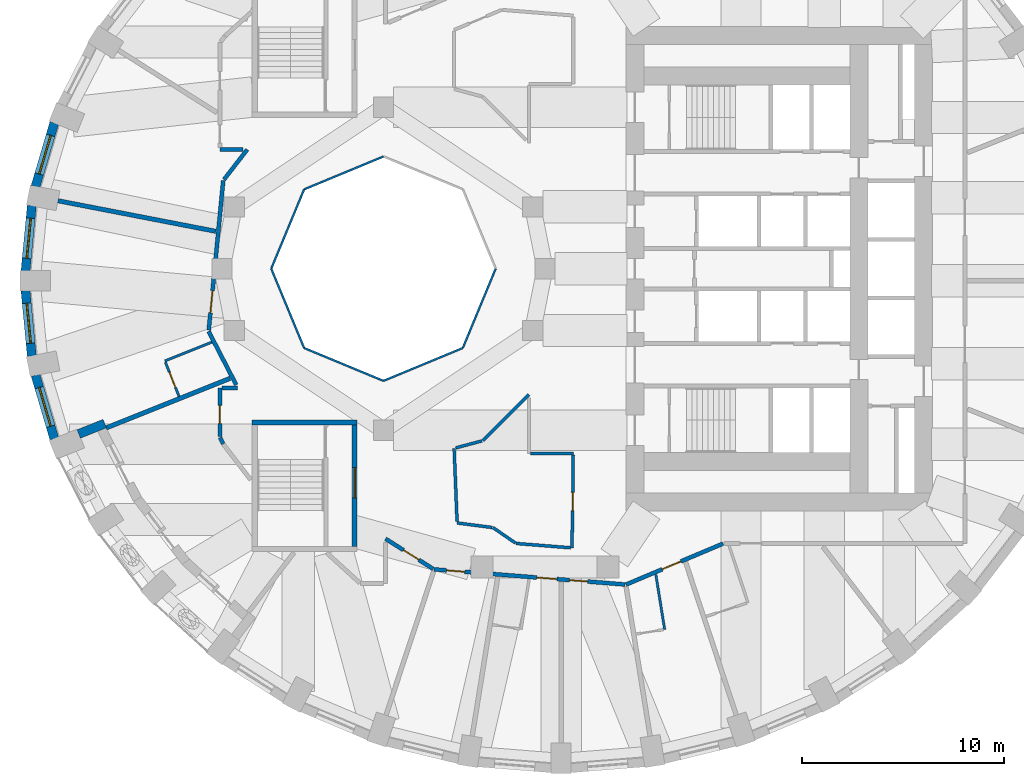
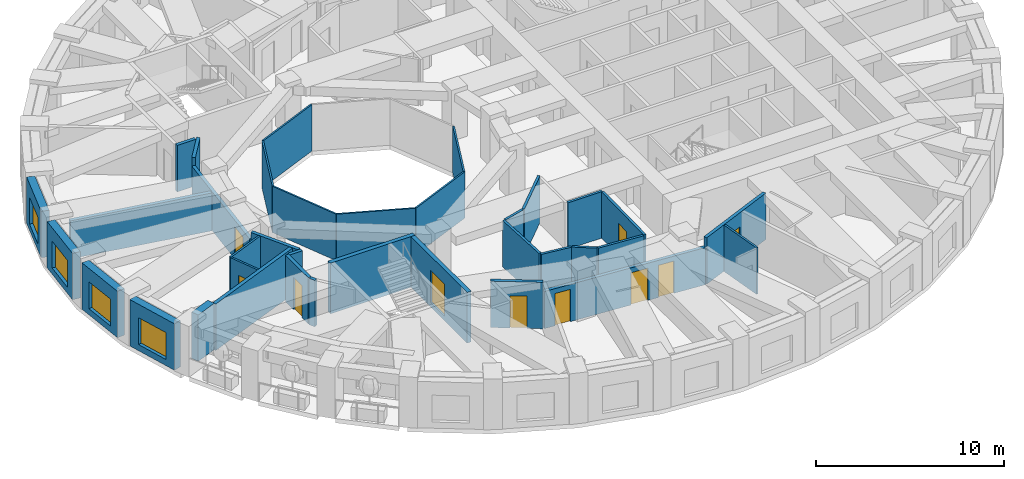
# One storey, part 4 of 12: 36 walls, 10 doors, 4 windows, 14 openings.
"""IFC4 building model written with IfcOpenShell, lengths in metres."""

from ifc_helpers import new_model, si_unit, direction, frame, frame_2d, origin, place, context, subcontext, project, spatial, rectangle, extrude, material, layer, layer_set, type_object, element, fill, save


model = new_model("IFC4")

# Units and contexts
model_context = context("Model", 3, precision=1e-05, world=origin(), true_north=direction((0.0, 1.0)))
body_context = subcontext(model_context, "Body", "Model", "MODEL_VIEW")
ifc_project = project(units=[si_unit("LENGTHUNIT", "METRE"), si_unit("AREAUNIT", "SQUARE_METRE"), si_unit("VOLUMEUNIT", "CUBIC_METRE"), si_unit("PLANEANGLEUNIT", "RADIAN"), si_unit("MASSUNIT", "GRAM", prefix="KILO")], contexts=[model_context])

# Site, building, storey
site_placement = place(None, origin())
site = spatial("IfcSite", under=ifc_project, at=site_placement, CompositionType="ELEMENT")
building_placement = place(site_placement, origin())
building = spatial("IfcBuilding", under=site, at=building_placement, Name="Taillehof Tower", CompositionType="ELEMENT")
storey_placement = place(building_placement, frame((0.0, 0.0, 128.5)))
storey = spatial("IfcBuildingStorey", under=building, at=storey_placement, Name="L36", CompositionType="ELEMENT", Elevation=128.5)

# Walls
ifc_material_1 = material(Name="Fire-resisting glass in steel frame", Category="steel")
ifc_layer_1 = layer(ifc_material_1, 0.10009765625)
ifc_layer_set_1 = layer_set([ifc_layer_1], Name="Atrium fire-resisting screen EI 60 100")
wall_type_1 = type_object("IfcWallType", Name="Atrium fire-resisting screen EI 60 100", PredefinedType="PARTITIONING", material=ifc_layer_set_1)
for number, where, z_axis, x_axis, name in (
    (1, (-2.44580078125, 0.0, 0.0), (0.0, 0.0, 1.0), (-0.382730523909, -0.923860025149, 0.0), "Atrium screen"),
    (2, (-4.07275390625, -3.92724609375, 0.0), (0.0, 0.0, 1.0), (-0.923860025149, -0.382730523909, 0.0), "Atrium screen"),
    (3, (-8.0, -5.55419921875, 0.0), (0.0, 0.0, 1.0), (-0.923860025149, 0.382730523909, 0.0), "Atrium screen"),
    (4, (-11.92724609375, -3.92724609375, 0.0), (0.0, 0.0, 1.0), (-0.382730523909, 0.923860025149, 0.0), "Atrium screen"),
    (5, (-13.55419921875, 0.0, 0.0), (0.0, 0.0, 1.0), (0.382730523909, 0.923860025149, 0.0), "Atrium screen"),
    (6, (-11.92724609375, 3.92724609375, 0.0), (0.0, 0.0, 1.0), (0.923860025149, 0.382730523909, 0.0), "Atrium screen"),
):
    element("IfcWall", number, at=place(storey_placement, frame(where, z_axis=z_axis, x_axis=x_axis)), inside=storey, type_object=wall_type_1, Name=name, PredefinedType="PARTITIONING", context=body_context, shape_type="SweptSolid", body=[
        extrude(rectangle(XDim=4.2509765625, YDim=0.10009765625, at=frame_2d((2.12548828125, 0.0))), origin(), (0.0, 0.0, 1.0), 3.02001953125),
    ])

# Wall, opening, window
ifc_material_2 = material(Name="Brick masonry", Category="masonry")
ifc_layer_2 = layer(ifc_material_2, 0.449951171875)
ifc_layer_set_2 = layer_set([ifc_layer_2], Name="Brick infill wall 450")
wall_type_2 = type_object("IfcWallType", Name="Brick infill wall 450", PredefinedType="SOLIDWALL", material=ifc_layer_set_2)
wall_1_placement = place(storey_placement, frame((-24.302001953125, 7.220703125, 0.0), z_axis=(0.0, 0.0, 1.0), x_axis=(-0.283071248438, -0.959098883488, 0.0)))
wall_1 = element("IfcWall", 7, at=wall_1_placement, inside=storey, type_object=wall_type_2, Name="Brick wall L36 bay 17", PredefinedType="SOLIDWALL", context=body_context, shape_type="SweptSolid", body=[
    extrude(rectangle(XDim=3.2861328125, YDim=0.449951171875, at=frame_2d((1.64306640625, 0.0))), origin(), (0.0, 0.0, 1.0), 3.02001953125),
])
opening_1_placement = place(wall_1_placement, frame((0.64306640625, 0.0, 0.39990234375)))
opening_1 = element("IfcOpeningElement", 8, at=opening_1_placement, cuts=wall_1, Name="Opening W2", PredefinedType="OPENING", context=body_context, shape_type="SweptSolid", body=[
    extrude(rectangle(XDim=2.0, YDim=1.75, at=frame_2d((1.0, 0.875))), frame((0.0, 0.23486328125, 0.0), z_axis=(0.0, -1.0, 0.0), x_axis=(1.0, 0.0, 0.0)), (0.0, 0.0, 1.0), 0.469970703125),
])
ifc_material_3 = material(Name="Aluminium window frame with clear double glazing", Category="aluminium")
window_type = type_object("IfcWindowType", Name="Deep-set window 2000x1750", PartitioningType="SINGLE_PANEL", PredefinedType="WINDOW", material=ifc_material_3)
window_1_placement = place(opening_1_placement, origin())
window_1 = element("IfcWindow", 9, at=window_1_placement, inside=storey, type_object=window_type, Name="W2", OverallHeight=1.75, OverallWidth=2.0, PartitioningType="SINGLE_PANEL", PredefinedType="WINDOW", context=body_context, shape_type="SweptSolid", body=[
    extrude(rectangle(XDim=2.0, YDim=1.75, at=frame_2d((1.0, 0.875))), frame((0.0, 0.034912109375, 0.0), z_axis=(0.0, -1.0, 0.0), x_axis=(1.0, 0.0, 0.0)), (0.0, 0.0, 1.0), 0.06005859375),
])
fill(opening_1, window_1)

wall_2_placement = place(storey_placement, frame((-25.414794921875, 3.12646484375, 0.0), z_axis=(0.0, 0.0, 1.0), x_axis=(-0.095967726544, -0.995384446062, 0.0)))
wall_2 = element("IfcWall", 10, at=wall_2_placement, inside=storey, type_object=wall_type_2, Name="Brick wall L36 bay 18", PredefinedType="SOLIDWALL", context=body_context, shape_type="SweptSolid", body=[
    extrude(rectangle(XDim=3.261474609375, YDim=0.449951171875, at=frame_2d((1.630859375, 0.0))), origin(), (0.0, 0.0, 1.0), 3.02001953125),
])
opening_2_placement = place(wall_2_placement, frame((0.630615234375, 0.0, 0.39990234375)))
opening_2 = element("IfcOpeningElement", 11, at=opening_2_placement, cuts=wall_2, Name="Opening W2", PredefinedType="OPENING", context=body_context, shape_type="SweptSolid", body=[
    extrude(rectangle(XDim=2.0, YDim=1.75, at=frame_2d((1.0, 0.875))), frame((0.0, 0.23486328125, 0.0), z_axis=(0.0, -1.0, 0.0), x_axis=(1.0, 0.0, 0.0)), (0.0, 0.0, 1.0), 0.469970703125),
])
window_2_placement = place(opening_2_placement, origin())
window_2 = element("IfcWindow", 12, at=window_2_placement, inside=storey, type_object=window_type, Name="W2", OverallHeight=1.75, OverallWidth=2.0, PartitioningType="SINGLE_PANEL", PredefinedType="WINDOW", context=body_context, shape_type="SweptSolid", body=[
    extrude(rectangle(XDim=2.0, YDim=1.75, at=frame_2d((1.0, 0.875))), frame((0.0, 0.034912109375, 0.0), z_axis=(0.0, -1.0, 0.0), x_axis=(1.0, 0.0, 0.0)), (0.0, 0.0, 1.0), 0.06005859375),
])
fill(opening_2, window_2)

wall_3_placement = place(storey_placement, frame((-25.727783203125, -1.080078125, 0.0), z_axis=(0.0, 0.0, 1.0), x_axis=(0.095967726544, -0.995384446062, 0.0)))
wall_3 = element("IfcWall", 13, at=wall_3_placement, inside=storey, type_object=wall_type_2, Name="Brick wall L36 bay 19", PredefinedType="SOLIDWALL", context=body_context, shape_type="SweptSolid", body=[
    extrude(rectangle(XDim=3.261474609375, YDim=0.449951171875, at=frame_2d((1.630859375, 0.0))), origin(), (0.0, 0.0, 1.0), 3.02001953125),
])
opening_3_placement = place(wall_3_placement, frame((0.630615234375, 0.0, 0.39990234375)))
opening_3 = element("IfcOpeningElement", 14, at=opening_3_placement, cuts=wall_3, Name="Opening W2", PredefinedType="OPENING", context=body_context, shape_type="SweptSolid", body=[
    extrude(rectangle(XDim=2.0, YDim=1.75, at=frame_2d((1.0, 0.875))), frame((0.0, 0.23486328125, 0.0), z_axis=(0.0, -1.0, 0.0), x_axis=(1.0, 0.0, 0.0)), (0.0, 0.0, 1.0), 0.469970703125),
])
window_3_placement = place(opening_3_placement, origin())
window_3 = element("IfcWindow", 15, at=window_3_placement, inside=storey, type_object=window_type, Name="W2", OverallHeight=1.75, OverallWidth=2.0, PartitioningType="SINGLE_PANEL", PredefinedType="WINDOW", context=body_context, shape_type="SweptSolid", body=[
    extrude(rectangle(XDim=2.0, YDim=1.75, at=frame_2d((1.0, 0.875))), frame((0.0, 0.034912109375, 0.0), z_axis=(0.0, -1.0, 0.0), x_axis=(1.0, 0.0, 0.0)), (0.0, 0.0, 1.0), 0.06005859375),
])
fill(opening_3, window_3)

wall_4_placement = place(storey_placement, frame((-25.232177734375, -5.26904296875, 0.0), z_axis=(0.0, 0.0, 1.0), x_axis=(0.283051078697, -0.959104836214, 0.0)))
wall_4 = element("IfcWall", 16, at=wall_4_placement, inside=storey, type_object=wall_type_2, Name="Brick wall L36 bay 20", PredefinedType="SOLIDWALL", context=body_context, shape_type="SweptSolid", body=[
    extrude(rectangle(XDim=3.2861328125, YDim=0.449951171875, at=frame_2d((1.64306640625, 0.0))), origin(), (0.0, 0.0, 1.0), 3.02001953125),
])
opening_4_placement = place(wall_4_placement, frame((0.64306640625, 0.0, 0.39990234375)))
opening_4 = element("IfcOpeningElement", 17, at=opening_4_placement, cuts=wall_4, Name="Opening W2", PredefinedType="OPENING", context=body_context, shape_type="SweptSolid", body=[
    extrude(rectangle(XDim=2.0, YDim=1.75, at=frame_2d((1.0, 0.875))), frame((0.0, 0.23486328125, 0.0), z_axis=(0.0, -1.0, 0.0), x_axis=(1.0, 0.0, 0.0)), (0.0, 0.0, 1.0), 0.469970703125),
])
window_4_placement = place(opening_4_placement, origin())
window_4 = element("IfcWindow", 18, at=window_4_placement, inside=storey, type_object=window_type, Name="W2", OverallHeight=1.75, OverallWidth=2.0, PartitioningType="SINGLE_PANEL", PredefinedType="WINDOW", context=body_context, shape_type="SweptSolid", body=[
    extrude(rectangle(XDim=2.0, YDim=1.75, at=frame_2d((1.0, 0.875))), frame((0.0, 0.034912109375, 0.0), z_axis=(0.0, -1.0, 0.0), x_axis=(1.0, 0.0, 0.0)), (0.0, 0.0, 1.0), 0.06005859375),
])
fill(opening_4, window_4)

# Walls
wall_5_placement = place(storey_placement, frame((-23.09326171875, -8.18701171875, 0.0), z_axis=(0.0, 0.0, 1.0), x_axis=(0.928549333349, 0.371209018665, 0.0)))
element("IfcWall", 19, at=wall_5_placement, inside=storey, type_object=wall_type_2, Name="Brick reveal L36 pocket 6", PredefinedType="SOLIDWALL", context=body_context, shape_type="SweptSolid", body=[
    extrude(rectangle(XDim=1.390380859375, YDim=0.449951171875, at=frame_2d((0.6953125, 0.0))), origin(), (0.0, 0.0, 1.0), 3.02001953125),
])
ifc_material_4 = material(Name="Gypsum board on steel studs, two layers each side", Category="steel")
ifc_layer_3 = layer(ifc_material_4, 0.199951171875)
ifc_layer_set_3 = layer_set([ifc_layer_3], Name="Compartment wall corridor 200")
wall_type_3 = type_object("IfcWallType", Name="Compartment wall corridor 200", PredefinedType="PARTITIONING", material=ifc_layer_set_3)
wall_6_placement = place(storey_placement, frame((-15.937744140625, -8.67626953125, 0.0), z_axis=(0.0, 0.0, 1.0), x_axis=(-0.456525695549, 0.889710227717, 0.0)))
element("IfcWall", 20, at=wall_6_placement, inside=storey, type_object=wall_type_3, Name="Compartment wall", PredefinedType="PARTITIONING", context=body_context, shape_type="SweptSolid", body=[
    extrude(rectangle(XDim=0.355712890625, YDim=0.199951171875, at=frame_2d((0.177734375, 0.0))), origin(), (0.0, 0.0, 1.0), 3.02001953125),
])

# Wall, opening, door
wall_7_placement = place(storey_placement, frame((-16.10009765625, -8.31982421875, 0.0), z_axis=(0.0, 0.0, 1.0), x_axis=(0.0, 1.0, 0.0)))
wall_7 = element("IfcWall", 21, at=wall_7_placement, inside=storey, type_object=wall_type_3, Name="Compartment wall", PredefinedType="PARTITIONING", context=body_context, shape_type="SweptSolid", body=[
    extrude(rectangle(XDim=2.419921875, YDim=0.199951171875, at=frame_2d((1.2099609375, 0.0))), origin(), (0.0, 0.0, 1.0), 3.02001953125),
])
opening_5_placement = place(wall_7_placement, frame((0.65185546875, 0.0, 0.0)))
opening_5 = element("IfcOpeningElement", 22, at=opening_5_placement, cuts=wall_7, Name="Opening D3654", PredefinedType="OPENING", context=body_context, shape_type="SweptSolid", body=[
    extrude(rectangle(XDim=0.89990234375, YDim=2.10009765625, at=frame_2d((0.449951171875, 1.050048828125))), frame((0.0, 0.10986328125, 0.0), z_axis=(0.0, -1.0, 0.0), x_axis=(1.0, 0.0, 0.0)), (0.0, 0.0, 1.0), 0.219970703125),
])
ifc_material_5 = material(Name="Timber door leaf in steel frame", Category="steel")
door_type_1 = type_object("IfcDoorType", Name="Service room door EI 30 900 x 2100", OperationType="SINGLE_SWING_LEFT", PredefinedType="DOOR", material=ifc_material_5)
door_1_placement = place(opening_5_placement, origin())
door_1 = element("IfcDoor", 23, at=door_1_placement, inside=storey, type_object=door_type_1, Name="D3654", OperationType="SINGLE_SWING_LEFT", OverallHeight=2.10009765625, OverallWidth=0.89990234375, PredefinedType="DOOR", context=body_context, shape_type="SweptSolid", body=[
    extrude(rectangle(XDim=0.89990234375, YDim=2.10009765625, at=frame_2d((0.449951171875, 1.050048828125))), frame((0.0, 0.02490234375, 0.0), z_axis=(0.0, -1.0, 0.0), x_axis=(1.0, 0.0, 0.0)), (0.0, 0.0, 1.0), 0.050048828125),
])
fill(opening_5, door_1)

# Walls
wall_8_placement = place(storey_placement, frame((-16.0, -5.89990234375, 0.0), z_axis=(0.0, 0.0, 1.0), x_axis=(1.0, 0.0, 0.0)))
element("IfcWall", 24, at=wall_8_placement, inside=storey, type_object=wall_type_3, Name="Compartment wall", PredefinedType="PARTITIONING", context=body_context, shape_type="SweptSolid", body=[
    extrude(rectangle(XDim=0.78369140625, YDim=0.199951171875, at=frame_2d((0.391845703125, 0.0))), origin(), (0.0, 0.0, 1.0), 3.02001953125),
])
wall_9_placement = place(storey_placement, frame((-15.29052734375, -5.75732421875, 0.0), z_axis=(0.0, 0.0, 1.0), x_axis=(-0.45873256191, 0.888574384418, 0.0)))
element("IfcWall", 25, at=wall_9_placement, inside=storey, type_object=wall_type_3, Name="Compartment wall", PredefinedType="PARTITIONING", context=body_context, shape_type="SweptSolid", body=[
    extrude(rectangle(XDim=2.98291015625, YDim=0.199951171875, at=frame_2d((1.491455078125, 0.0))), origin(), (0.0, 0.0, 1.0), 3.02001953125),
])

# Wall, opening, door
wall_10_placement = place(storey_placement, frame((-16.653076171875, -3.046630859375, 0.0), z_axis=(0.0, 0.0, 1.0), x_axis=(0.096559879606, 0.995327177189, 0.0)))
wall_10 = element("IfcWall", 26, at=wall_10_placement, inside=storey, type_object=wall_type_3, Name="Compartment wall", PredefinedType="PARTITIONING", context=body_context, shape_type="SweptSolid", body=[
    extrude(rectangle(XDim=7.44873046875, YDim=0.199951171875, at=frame_2d((3.724365234375, 0.0))), origin(), (0.0, 0.0, 1.0), 2.52001953125),
])
opening_6_placement = place(wall_10_placement, frame((0.864013671875, 0.0, 0.0)))
opening_6 = element("IfcOpeningElement", 27, at=opening_6_placement, cuts=wall_10, Name="Opening D3652", PredefinedType="OPENING", context=body_context, shape_type="SweptSolid", body=[
    extrude(rectangle(XDim=1.10009765625, YDim=2.10009765625, at=frame_2d((0.550048828125, 1.050048828125))), frame((0.0, 0.10986328125, 0.0), z_axis=(0.0, -1.0, 0.0), x_axis=(1.0, 0.0, 0.0)), (0.0, 0.0, 1.0), 0.219970703125),
])
ifc_material_6 = material(Name="Timber door leaf in steel frame", Category="steel")
door_type_2 = type_object("IfcDoorType", Name="Suite entrance door EI 30 1100 x 2100", OperationType="SINGLE_SWING_LEFT", PredefinedType="DOOR", material=ifc_material_6)
door_2_placement = place(opening_6_placement, origin())
door_2 = element("IfcDoor", 28, at=door_2_placement, inside=storey, type_object=door_type_2, Name="D3652", OperationType="SINGLE_SWING_RIGHT", OverallHeight=2.10009765625, OverallWidth=1.10009765625, PredefinedType="DOOR", context=body_context, shape_type="SweptSolid", body=[
    extrude(rectangle(XDim=1.10009765625, YDim=2.10009765625, at=frame_2d((0.550048828125, 1.050048828125))), frame((0.0, 0.02490234375, 0.0), z_axis=(0.0, -1.0, 0.0), x_axis=(1.0, 0.0, 0.0)), (0.0, 0.0, 1.0), 0.050048828125),
])
fill(opening_6, door_2)

# Walls
wall_11_placement = place(storey_placement, frame((-15.897216796875, 4.414794921875, 0.0), z_axis=(0.0, 0.0, 1.0), x_axis=(0.612626457361, 0.790372585393, 0.0)))
element("IfcWall", 29, at=wall_11_placement, inside=storey, type_object=wall_type_3, Name="Compartment wall", PredefinedType="PARTITIONING", context=body_context, shape_type="SweptSolid", body=[
    extrude(rectangle(XDim=1.87890625, YDim=0.199951171875, at=frame_2d((0.939453125, 0.0))), origin(), (0.0, 0.0, 1.0), 3.02001953125),
])
wall_12_placement = place(storey_placement, frame((-14.9462890625, 5.89990234375, 0.0), z_axis=(0.0, 0.0, 1.0), x_axis=(-1.0, 0.0, 0.0)))
element("IfcWall", 30, at=wall_12_placement, inside=storey, type_object=wall_type_3, Name="Compartment wall", PredefinedType="PARTITIONING", context=body_context, shape_type="SweptSolid", body=[
    extrude(rectangle(XDim=1.15380859375, YDim=0.199951171875, at=frame_2d((0.576904296875, 0.0))), origin(), (0.0, 0.0, 1.0), 3.02001953125),
])

# Wall, opening, door
wall_13_placement = place(storey_placement, frame((8.81787109375, -13.61572265625, 0.0), z_axis=(0.0, 0.0, 1.0), x_axis=(-0.921304705085, -0.388841407759, 0.0)))
wall_13 = element("IfcWall", 31, at=wall_13_placement, inside=storey, type_object=wall_type_3, Name="Compartment wall", PredefinedType="PARTITIONING", context=body_context, shape_type="SweptSolid", body=[
    extrude(rectangle(XDim=5.217041015625, YDim=0.199951171875, at=frame_2d((2.6083984375, 0.0))), origin(), (0.0, 0.0, 1.0), 3.02001953125),
])
opening_7_placement = place(wall_13_placement, frame((2.266357421875, 0.0, 0.0)))
opening_7 = element("IfcOpeningElement", 32, at=opening_7_placement, cuts=wall_13, Name="Opening D3660", PredefinedType="OPENING", context=body_context, shape_type="SweptSolid", body=[
    extrude(rectangle(XDim=1.0, YDim=2.10009765625, at=frame_2d((0.5, 1.050048828125))), frame((0.0, 0.10986328125, 0.0), z_axis=(0.0, -1.0, 0.0), x_axis=(1.0, 0.0, 0.0)), (0.0, 0.0, 1.0), 0.219970703125),
])
ifc_material_7 = material(Name="Timber door leaf in steel frame", Category="steel")
door_type_3 = type_object("IfcDoorType", Name="Guest room door EI 30 1000 x 2100", OperationType="SINGLE_SWING_LEFT", PredefinedType="DOOR", material=ifc_material_7)
door_3_placement = place(opening_7_placement, origin())
door_3 = element("IfcDoor", 33, at=door_3_placement, inside=storey, type_object=door_type_3, Name="D3660", OperationType="SINGLE_SWING_LEFT", OverallHeight=2.10009765625, OverallWidth=1.0, PredefinedType="DOOR", context=body_context, shape_type="SweptSolid", body=[
    extrude(rectangle(XDim=1.0, YDim=2.10009765625, at=frame_2d((0.5, 1.050048828125))), frame((0.0, 0.02490234375, 0.0), z_axis=(0.0, -1.0, 0.0), x_axis=(1.0, 0.0, 0.0)), (0.0, 0.0, 1.0), 0.050048828125),
])
fill(opening_7, door_3)

# Wall, openings, doors
wall_14_placement = place(storey_placement, frame((3.971435546875, -15.641357421875, 0.0), z_axis=(0.0, 0.0, 1.0), x_axis=(-0.996873811728, 0.079010148026, 0.0)))
wall_14 = element("IfcWall", 34, at=wall_14_placement, inside=storey, type_object=wall_type_3, Name="Compartment wall", PredefinedType="PARTITIONING", context=body_context, shape_type="SweptSolid", body=[
    extrude(rectangle(XDim=9.5048828125, YDim=0.199951171875, at=frame_2d((4.75244140625, 0.0))), origin(), (0.0, 0.0, 1.0), 2.419921875),
])
opening_8_placement = place(wall_14_placement, frame((7.971435546875, 0.0, 0.0)))
opening_8 = element("IfcOpeningElement", 35, at=opening_8_placement, cuts=wall_14, Name="Opening D3656", PredefinedType="OPENING", context=body_context, shape_type="SweptSolid", body=[
    extrude(rectangle(XDim=0.89990234375, YDim=2.10009765625, at=frame_2d((0.449951171875, 1.050048828125))), frame((0.0, 0.10986328125, 0.0), z_axis=(0.0, -1.0, 0.0), x_axis=(1.0, 0.0, 0.0)), (0.0, 0.0, 1.0), 0.219970703125),
])
opening_9_placement = place(wall_14_placement, frame((3.391357421875, 0.0, 0.0)))
opening_9 = element("IfcOpeningElement", 36, at=opening_9_placement, cuts=wall_14, Name="Opening D3657", PredefinedType="OPENING", context=body_context, shape_type="SweptSolid", body=[
    extrude(rectangle(XDim=1.0, YDim=2.10009765625, at=frame_2d((0.5, 1.050048828125))), frame((0.0, 0.10986328125, 0.0), z_axis=(0.0, -1.0, 0.0), x_axis=(1.0, 0.0, 0.0)), (0.0, 0.0, 1.0), 0.219970703125),
])
opening_10_placement = place(wall_14_placement, frame((1.86572265625, 0.0, 0.0)))
opening_10 = element("IfcOpeningElement", 37, at=opening_10_placement, cuts=wall_14, Name="Opening D3659", PredefinedType="OPENING", context=body_context, shape_type="SweptSolid", body=[
    extrude(rectangle(XDim=0.89990234375, YDim=2.10009765625, at=frame_2d((0.449951171875, 1.050048828125))), frame((0.0, 0.10986328125, 0.0), z_axis=(0.0, -1.0, 0.0), x_axis=(1.0, 0.0, 0.0)), (0.0, 0.0, 1.0), 0.219970703125),
])
door_4_placement = place(opening_9_placement, origin())
door_4 = element("IfcDoor", 38, at=door_4_placement, inside=storey, type_object=door_type_3, Name="D3657", OperationType="SINGLE_SWING_LEFT", OverallHeight=2.10009765625, OverallWidth=1.0, PredefinedType="DOOR", context=body_context, shape_type="SweptSolid", body=[
    extrude(rectangle(XDim=1.0, YDim=2.10009765625, at=frame_2d((0.5, 1.050048828125))), frame((0.0, 0.02490234375, 0.0), z_axis=(0.0, -1.0, 0.0), x_axis=(1.0, 0.0, 0.0)), (0.0, 0.0, 1.0), 0.050048828125),
])
fill(opening_9, door_4)
door_5_placement = place(opening_8_placement, origin())
door_5 = element("IfcDoor", 39, at=door_5_placement, inside=storey, type_object=door_type_1, Name="D3656", OperationType="SINGLE_SWING_RIGHT", OverallHeight=2.10009765625, OverallWidth=0.89990234375, PredefinedType="DOOR", context=body_context, shape_type="SweptSolid", body=[
    extrude(rectangle(XDim=0.89990234375, YDim=2.10009765625, at=frame_2d((0.449951171875, 1.050048828125))), frame((0.0, 0.02490234375, 0.0), z_axis=(0.0, -1.0, 0.0), x_axis=(1.0, 0.0, 0.0)), (0.0, 0.0, 1.0), 0.050048828125),
])
fill(opening_8, door_5)
door_6_placement = place(opening_10_placement, origin())
door_6 = element("IfcDoor", 40, at=door_6_placement, inside=storey, type_object=door_type_1, Name="D3659", OperationType="SINGLE_SWING_RIGHT", OverallHeight=2.10009765625, OverallWidth=0.89990234375, PredefinedType="DOOR", context=body_context, shape_type="SweptSolid", body=[
    extrude(rectangle(XDim=0.89990234375, YDim=2.10009765625, at=frame_2d((0.449951171875, 1.050048828125))), frame((0.0, 0.02490234375, 0.0), z_axis=(0.0, -1.0, 0.0), x_axis=(1.0, 0.0, 0.0)), (0.0, 0.0, 1.0), 0.050048828125),
])
fill(opening_10, door_6)

# Wall, opening, door
wall_15_placement = place(storey_placement, frame((-5.537353515625, -14.868896484375, 0.0), z_axis=(0.0, 0.0, 1.0), x_axis=(-0.844770404655, 0.535128922242, 0.0)))
wall_15 = element("IfcWall", 41, at=wall_15_placement, inside=storey, type_object=wall_type_3, Name="Compartment wall", PredefinedType="PARTITIONING", context=body_context, shape_type="SweptSolid", body=[
    extrude(rectangle(XDim=2.796630859375, YDim=0.199951171875, at=frame_2d((1.3984375, 0.0))), origin(), (0.0, 0.0, 1.0), 3.02001953125),
])
opening_11_placement = place(wall_15_placement, frame((0.84423828125, 0.0, 0.0)))
opening_11 = element("IfcOpeningElement", 42, at=opening_11_placement, cuts=wall_15, Name="Opening D3655", PredefinedType="OPENING", context=body_context, shape_type="SweptSolid", body=[
    extrude(rectangle(XDim=0.89990234375, YDim=2.10009765625, at=frame_2d((0.449951171875, 1.050048828125))), frame((0.0, 0.10986328125, 0.0), z_axis=(0.0, -1.0, 0.0), x_axis=(1.0, 0.0, 0.0)), (0.0, 0.0, 1.0), 0.219970703125),
])
door_7_placement = place(opening_11_placement, origin())
door_7 = element("IfcDoor", 43, at=door_7_placement, inside=storey, type_object=door_type_1, Name="D3655", OperationType="SINGLE_SWING_RIGHT", OverallHeight=2.10009765625, OverallWidth=0.89990234375, PredefinedType="DOOR", context=body_context, shape_type="SweptSolid", body=[
    extrude(rectangle(XDim=0.89990234375, YDim=2.10009765625, at=frame_2d((0.449951171875, 1.050048828125))), frame((0.0, 0.02490234375, 0.0), z_axis=(0.0, -1.0, 0.0), x_axis=(1.0, 0.0, 0.0)), (0.0, 0.0, 1.0), 0.050048828125),
])
fill(opening_11, door_7)

# Walls
ifc_material_8 = material(Name="Gypsum board on double steel studs with mineral wool", Category="steel")
ifc_layer_4 = layer(ifc_material_8, 0.219970703125)
ifc_layer_set_4 = layer_set([ifc_layer_4], Name="Compartment wall guest room 220")
wall_type_4 = type_object("IfcWallType", Name="Compartment wall guest room 220", PredefinedType="PARTITIONING", material=ifc_layer_set_4)
wall_16_placement = place(storey_placement, frame((-24.117919921875, 3.3642578125, 0.0), z_axis=(0.0, 0.0, 1.0), x_axis=(0.981757892546, -0.190135321348, 0.0)))
element("IfcWall", 44, at=wall_16_placement, inside=storey, type_object=wall_type_4, Name="Compartment wall", PredefinedType="PARTITIONING", context=body_context, shape_type="SweptSolid", body=[
    extrude(rectangle(XDim=7.96484375, YDim=0.219970703125, at=frame_2d((3.982421875, 0.0))), origin(), (0.0, 0.0, 1.0), 2.469970703125),
])
wall_17_placement = place(storey_placement, frame((-21.735595703125, -7.88671875, 0.0), z_axis=(0.0, 0.0, 1.0), x_axis=(0.928547942842, 0.371212496884, 0.0)))
element("IfcWall", 45, at=wall_17_placement, inside=storey, type_object=wall_type_4, Name="Compartment wall", PredefinedType="PARTITIONING", context=body_context, shape_type="SweptSolid", body=[
    extrude(rectangle(XDim=6.614990234375, YDim=0.219970703125, at=frame_2d((3.3076171875, 0.0))), origin(), (0.0, 0.0, 1.0), 3.02001953125),
])
ifc_material_9 = material(Name="Gypsum board on steel studs, two layers each side", Category="steel")
ifc_layer_5 = layer(ifc_material_9, 0.14990234375)
ifc_layer_set_5 = layer_set([ifc_layer_5], Name="Compartment wall service room 150")
wall_type_5 = type_object("IfcWallType", Name="Compartment wall service room 150", PredefinedType="PARTITIONING", material=ifc_layer_set_5)
wall_18_placement = place(storey_placement, frame((-3.08251953125, -8.517578125, 0.0), z_axis=(0.0, 0.0, 1.0), x_axis=(0.707106781187, 0.707106781187, 0.0)))
element("IfcWall", 46, at=wall_18_placement, inside=storey, type_object=wall_type_5, Name="Compartment wall", PredefinedType="PARTITIONING", context=body_context, shape_type="SweptSolid", body=[
    extrude(rectangle(XDim=3.227783203125, YDim=0.14990234375, at=frame_2d((1.61376953125, 0.0))), origin(), (0.0, 0.0, 1.0), 3.02001953125),
])
wall_19_placement = place(storey_placement, frame((-0.719970703125, -9.14990234375, 0.0), z_axis=(0.0, 0.0, 1.0), x_axis=(1.0, 0.0, 0.0)))
element("IfcWall", 47, at=wall_19_placement, inside=storey, type_object=wall_type_5, Name="Compartment wall", PredefinedType="PARTITIONING", context=body_context, shape_type="SweptSolid", body=[
    extrude(rectangle(XDim=2.119873046875, YDim=0.14990234375, at=frame_2d((1.06005859375, 0.0))), origin(), (0.0, 0.0, 1.0), 3.02001953125),
])

# Wall, opening, door
wall_20_placement = place(storey_placement, frame((1.39892578125, -9.22998046875, 0.0), z_axis=(0.0, 0.0, 1.0), x_axis=(-0.013008669764, -0.999915383676, 0.0)))
wall_20 = element("IfcWall", 48, at=wall_20_placement, inside=storey, type_object=wall_type_5, Name="Compartment wall", PredefinedType="PARTITIONING", context=body_context, shape_type="SweptSolid", body=[
    extrude(rectangle(XDim=4.59814453125, YDim=0.14990234375, at=frame_2d((2.299072265625, 0.0))), origin(), (0.0, 0.0, 1.0), 3.02001953125),
])
opening_12_placement = place(wall_20_placement, frame((1.84912109375, 0.0, 0.0)))
opening_12 = element("IfcOpeningElement", 49, at=opening_12_placement, cuts=wall_20, Name="Opening D3669", PredefinedType="OPENING", context=body_context, shape_type="SweptSolid", body=[
    extrude(rectangle(XDim=0.89990234375, YDim=2.10009765625, at=frame_2d((0.449951171875, 1.050048828125))), frame((0.0, 0.0849609375, 0.0), z_axis=(0.0, -1.0, 0.0), x_axis=(1.0, 0.0, 0.0)), (0.0, 0.0, 1.0), 0.169921875),
])
door_8_placement = place(opening_12_placement, origin())
door_8 = element("IfcDoor", 50, at=door_8_placement, inside=storey, type_object=door_type_1, Name="D3669", OperationType="SINGLE_SWING_LEFT", OverallHeight=2.10009765625, OverallWidth=0.89990234375, PredefinedType="DOOR", context=body_context, shape_type="SweptSolid", body=[
    extrude(rectangle(XDim=0.89990234375, YDim=2.10009765625, at=frame_2d((0.449951171875, 1.050048828125))), frame((0.0, 0.02490234375, 0.0), z_axis=(0.0, -1.0, 0.0), x_axis=(1.0, 0.0, 0.0)), (0.0, 0.0, 1.0), 0.050048828125),
])
fill(opening_12, door_8)

# Walls
wall_21_placement = place(storey_placement, frame((1.259033203125, -13.82177734375, 0.0), z_axis=(0.0, 0.0, 1.0), x_axis=(-0.996859157686, 0.079194821407, 0.0)))
element("IfcWall", 51, at=wall_21_placement, inside=storey, type_object=wall_type_5, Name="Compartment wall", PredefinedType="PARTITIONING", context=body_context, shape_type="SweptSolid", body=[
    extrude(rectangle(XDim=2.697509765625, YDim=0.14990234375, at=frame_2d((1.3486328125, 0.0))), origin(), (0.0, 0.0, 1.0), 3.02001953125),
])
wall_22_placement = place(storey_placement, frame((-1.463134765625, -13.585693359375, 0.0), z_axis=(0.0, 0.0, 1.0), x_axis=(-0.82445873192, 0.565922078878, 0.0)))
element("IfcWall", 52, at=wall_22_placement, inside=storey, type_object=wall_type_5, Name="Compartment wall", PredefinedType="PARTITIONING", context=body_context, shape_type="SweptSolid", body=[
    extrude(rectangle(XDim=1.349365234375, YDim=0.14990234375, at=frame_2d((0.6748046875, 0.0))), origin(), (0.0, 0.0, 1.0), 3.02001953125),
])
wall_23_placement = place(storey_placement, frame((-2.615234375, -12.817138671875, 0.0), z_axis=(0.0, 0.0, 1.0), x_axis=(-0.991812078881, 0.127705912884, 0.0)))
element("IfcWall", 53, at=wall_23_placement, inside=storey, type_object=wall_type_5, Name="Compartment wall", PredefinedType="PARTITIONING", context=body_context, shape_type="SweptSolid", body=[
    extrude(rectangle(XDim=1.751220703125, YDim=0.14990234375, at=frame_2d((0.87548828125, 0.0))), origin(), (0.0, 0.0, 1.0), 3.02001953125),
])
wall_24_placement = place(storey_placement, frame((-4.35498046875, -12.513427734375, 0.0), z_axis=(0.0, 0.0, 1.0), x_axis=(-0.040070411422, 0.999196858546, 0.0)))
element("IfcWall", 54, at=wall_24_placement, inside=storey, type_object=wall_type_5, Name="Compartment wall", PredefinedType="PARTITIONING", context=body_context, shape_type="SweptSolid", body=[
    extrude(rectangle(XDim=3.619140625, YDim=0.14990234375, at=frame_2d((1.8095703125, 0.0))), origin(), (0.0, 0.0, 1.0), 3.02001953125),
])
wall_25_placement = place(storey_placement, frame((-4.4228515625, -8.876708984375, 0.0), z_axis=(0.0, 0.0, 1.0), x_axis=(0.965912469164, 0.258868889429, 0.0)))
element("IfcWall", 55, at=wall_25_placement, inside=storey, type_object=wall_type_5, Name="Compartment wall", PredefinedType="PARTITIONING", context=body_context, shape_type="SweptSolid", body=[
    extrude(rectangle(XDim=1.34765625, YDim=0.14990234375, at=frame_2d((0.673828125, 0.0))), origin(), (0.0, 0.0, 1.0), 3.02001953125),
])
ifc_material_10 = material(Name="Gypsum board on steel studs, moisture resistant", Category="steel")
ifc_layer_6 = layer(ifc_material_10, 0.1201171875)
ifc_layer_set_6 = layer_set([ifc_layer_6], Name="En-suite wall 120")
wall_type_6 = type_object("IfcWallType", Name="En-suite wall 120", PredefinedType="PARTITIONING", material=ifc_layer_set_6)
wall_26_placement = place(storey_placement, frame((-16.496826171875, -3.638427734375, 0.0), z_axis=(0.0, 0.0, 1.0), x_axis=(-0.92857071808, -0.371155522019, 0.0)))
element("IfcWall", 56, at=wall_26_placement, inside=storey, type_object=wall_type_6, Name="En-suite wall", PredefinedType="PARTITIONING", context=body_context, shape_type="SweptSolid", body=[
    extrude(rectangle(XDim=2.506103515625, YDim=0.1201171875, at=frame_2d((1.2529296875, 0.0))), origin(), (0.0, 0.0, 1.0), 3.02001953125),
])
wall_27_placement = place(storey_placement, frame((5.490234375, -15.14990234375, 0.0), z_axis=(0.0, 0.0, 1.0), x_axis=(0.158495805849, -0.987359650547, 0.0)))
element("IfcWall", 57, at=wall_27_placement, inside=storey, type_object=wall_type_6, Name="En-suite wall", PredefinedType="PARTITIONING", context=body_context, shape_type="SweptSolid", body=[
    extrude(rectangle(XDim=2.7509765625, YDim=0.1201171875, at=frame_2d((1.37548828125, 0.0))), origin(), (0.0, 0.0, 1.0), 3.02001953125),
])

# Wall, opening, door
wall_28_placement = place(storey_placement, frame((-18.8017578125, -4.624267578125, 0.0), z_axis=(0.0, 0.0, 1.0), x_axis=(0.371229680537, -0.928541073022, 0.0)))
wall_28 = element("IfcWall", 58, at=wall_28_placement, inside=storey, type_object=wall_type_6, Name="En-suite wall", PredefinedType="PARTITIONING", context=body_context, shape_type="SweptSolid", body=[
    extrude(rectangle(XDim=1.830322265625, YDim=0.1201171875, at=frame_2d((0.9150390625, 0.0))), origin(), (0.0, 0.0, 1.0), 3.02001953125),
])
opening_13_placement = place(wall_28_placement, frame((0.540283203125, 0.0, 0.0)))
opening_13 = element("IfcOpeningElement", 59, at=opening_13_placement, cuts=wall_28, Name="Opening D3653", PredefinedType="OPENING", context=body_context, shape_type="SweptSolid", body=[
    extrude(rectangle(XDim=0.800048828125, YDim=2.10009765625, at=frame_2d((0.39990234375, 1.050048828125))), frame((0.0, 0.070068359375, 0.0), z_axis=(0.0, -1.0, 0.0), x_axis=(1.0, 0.0, 0.0)), (0.0, 0.0, 1.0), 0.14013671875),
])
ifc_material_11 = material(Name="Timber door leaf in steel frame", Category="steel")
door_type_4 = type_object("IfcDoorType", Name="En-suite door 800 x 2100", OperationType="SINGLE_SWING_LEFT", PredefinedType="DOOR", material=ifc_material_11)
door_9_placement = place(opening_13_placement, origin())
door_9 = element("IfcDoor", 60, at=door_9_placement, inside=storey, type_object=door_type_4, Name="D3653", OperationType="SINGLE_SWING_LEFT", OverallHeight=2.10009765625, OverallWidth=0.800048828125, PredefinedType="DOOR", context=body_context, shape_type="SweptSolid", body=[
    extrude(rectangle(XDim=0.800048828125, YDim=2.10009765625, at=frame_2d((0.39990234375, 1.050048828125))), frame((0.0, 0.02490234375, 0.0), z_axis=(0.0, -1.0, 0.0), x_axis=(1.0, 0.0, 0.0)), (0.0, 0.0, 1.0), 0.050048828125),
])
fill(opening_13, door_9)

ifc_material_12 = material(Name="Concrete C50/60", Category="concrete")
ifc_layer_7 = layer(ifc_material_12, 0.25)
ifc_layer_set_7 = layer_set([ifc_layer_7], Name="Stair wall C50/60 250")
wall_type_7 = type_object("IfcWallType", Name="Stair wall C50/60 250", PredefinedType="SHEAR", material=ifc_layer_set_7)
wall_29_placement = place(storey_placement, frame((-9.425048828125, -13.75, -0.280029296875), z_axis=(0.0, 0.0, 1.0), x_axis=(0.0, 1.0, 0.0)))
wall_29 = element("IfcWall", 61, at=wall_29_placement, inside=storey, type_object=wall_type_7, Name="Stair wall SC", PredefinedType="SHEAR", context=body_context, shape_type="SweptSolid", body=[
    extrude(rectangle(XDim=6.0, YDim=0.25, at=frame_2d((3.0, 0.0))), origin(), (0.0, 0.0, 1.0), 3.300048828125),
])
opening_14_placement = place(wall_29_placement, frame((2.39990234375, 0.0, 0.280029296875)))
opening_14 = element("IfcOpeningElement", 62, at=opening_14_placement, cuts=wall_29, Name="Opening D3620", PredefinedType="OPENING", context=body_context, shape_type="SweptSolid", body=[
    extrude(rectangle(XDim=1.5, YDim=2.10009765625, at=frame_2d((0.75, 1.050048828125))), frame((0.0, 0.135009765625, 0.0), z_axis=(0.0, -1.0, 0.0), x_axis=(1.0, 0.0, 0.0)), (0.0, 0.0, 1.0), 0.27001953125),
])
ifc_material_13 = material(Name="Steel-faced fire door", Category="steel")
door_type_5 = type_object("IfcDoorType", Name="Stair door 1500x2100", OperationType="DOUBLE_DOOR_SINGLE_SWING", PredefinedType="DOOR", material=ifc_material_13)
door_10_placement = place(opening_14_placement, origin())
door_10 = element("IfcDoor", 63, at=door_10_placement, inside=storey, type_object=door_type_5, Name="Stair door S4", OperationType="DOUBLE_DOOR_SINGLE_SWING", OverallHeight=2.10009765625, OverallWidth=1.5, PredefinedType="DOOR", context=body_context, shape_type="SweptSolid", body=[
    extrude(rectangle(XDim=1.5, YDim=2.10009765625, at=frame_2d((0.75, 1.050048828125))), frame((0.0, 0.02490234375, 0.0), z_axis=(0.0, -1.0, 0.0), x_axis=(1.0, 0.0, 0.0)), (0.0, 0.0, 1.0), 0.050048828125),
])
fill(opening_14, door_10)

# Wall
wall_30_placement = place(storey_placement, frame((-14.5, -7.625, -0.280029296875), z_axis=(0.0, 0.0, 1.0), x_axis=(1.0, 0.0, 0.0)))
element("IfcWall", 64, at=wall_30_placement, inside=storey, type_object=wall_type_7, Name="Stair wall SC", PredefinedType="SHEAR", context=body_context, shape_type="SweptSolid", body=[
    extrude(rectangle(XDim=5.199951171875, YDim=0.25, at=frame_2d((2.60009765625, 0.0))), origin(), (0.0, 0.0, 1.0), 3.300048828125),
])

save(model, "model.ifc")
